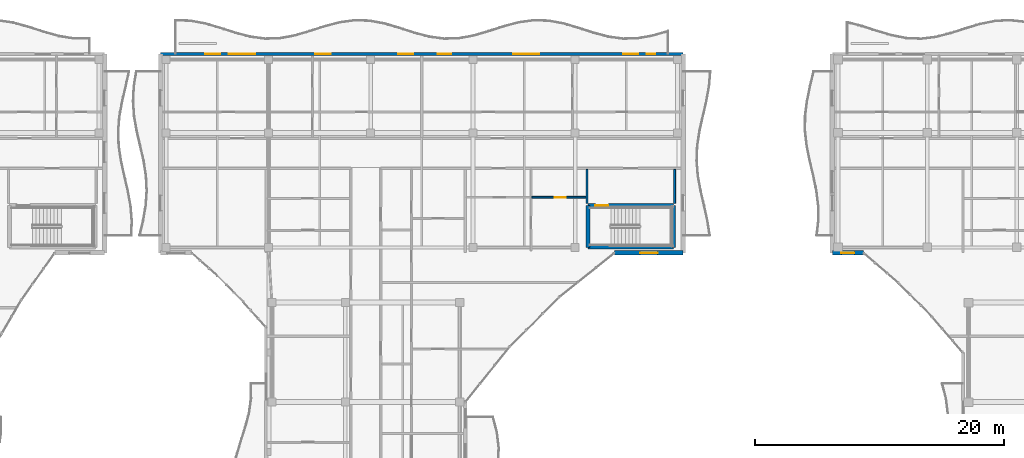
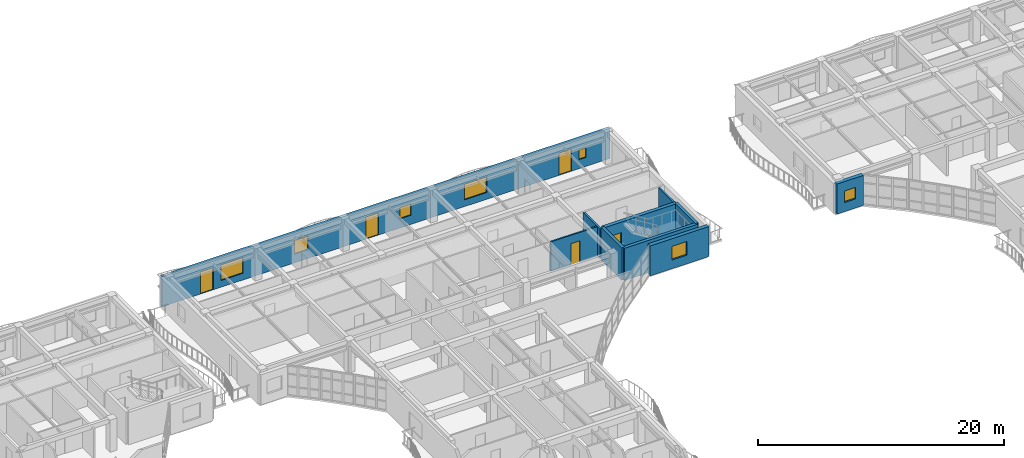
# One storey, part 91 of 128: 10 walls, 7 windows, 5 doors, 12 openings.
"""IFC4 building model written with IfcOpenShell, lengths in metres."""

from ifc_helpers import new_model, si_unit, direction, frame, frame_2d, origin, place, context, subcontext, project, spatial, rectangle, extrude, material, layer, layer_set, type_object, element, fill, save


model = new_model("IFC4")

# Units and contexts
model_context = context("Model", 3, precision=1e-05, world=origin(), true_north=direction((0.0, 1.0)))
body_context = subcontext(model_context, "Body", "Model", "MODEL_VIEW")
ifc_project = project(units=[si_unit("LENGTHUNIT", "METRE"), si_unit("AREAUNIT", "SQUARE_METRE"), si_unit("VOLUMEUNIT", "CUBIC_METRE"), si_unit("PLANEANGLEUNIT", "RADIAN"), si_unit("MASSUNIT", "GRAM", prefix="KILO")], contexts=[model_context])

# Site, building, storey
site_placement = place(None, origin())
site = spatial("IfcSite", under=ifc_project, at=site_placement, CompositionType="ELEMENT")
building_placement = place(site_placement, origin())
building = spatial("IfcBuilding", under=site, at=building_placement, Name="Keldmere Railside Commons", CompositionType="ELEMENT")
storey_placement = place(building_placement, frame((0.0, 0.0, 4.159912109375)))
storey = spatial("IfcBuildingStorey", under=building, at=storey_placement, Name="L01", CompositionType="ELEMENT", Elevation=4.159912109375)

# Wall, opening, window
ifc_material_1 = material(Name="Concrete H-35 (C35/45)", Category="concrete")
ifc_layer_1 = layer(ifc_material_1, 0.360107421875, Name="Exterior Shear Wall 360")
ifc_layer_set_1 = layer_set([ifc_layer_1], Name="Concrete H-35 (C35/45)")
wall_type_1 = type_object("IfcWallType", Name="Exterior Shear Wall 360", PredefinedType="SHEAR", material=ifc_layer_set_1)
wall_1_placement = place(storey_placement, frame((81.5, 100.0, 0.0), z_axis=(0.0, 0.0, 1.0), x_axis=(-1.0, 0.0, 0.0)))
wall_1 = element("IfcWall", 1, at=wall_1_placement, inside=storey, type_object=wall_type_1, Name="ESW-1 EXTC-L01-0328", PredefinedType="SHEAR", context=body_context, shape_type="SweptSolid", body=[
    extrude(rectangle(XDim=5.5, YDim=0.360107421875, at=frame_2d((2.75, 0.0))), origin(), (0.0, 0.0, 1.0), 2.97998046875),
])
opening_1_placement = place(wall_1_placement, frame((2.050048828125, 0.0, 0.8701171875)))
opening_1 = element("IfcOpeningElement", 2, at=opening_1_placement, cuts=wall_1, Name="Opening WN-08", PredefinedType="OPENING", context=body_context, shape_type="SweptSolid", body=[
    extrude(rectangle(XDim=1.39990234375, YDim=1.35009765625, at=frame_2d((0.699951171875, 0.675048828125))), frame((0.0, 0.18994140625, 0.0), z_axis=(0.0, -1.0, 0.0), x_axis=(1.0, 0.0, 0.0)), (0.0, 0.0, 1.0), 0.380126953125),
])
ifc_material_2 = material(Name="Low-E Insulated Double Glazing", Category="glass")
window_type_1 = type_object("IfcWindowType", Name="Primary Bedroom East/West Window 1400x1350", PartitioningType="SINGLE_PANEL", PredefinedType="WINDOW", material=ifc_material_2)
window_1_placement = place(opening_1_placement, origin())
window_1 = element("IfcWindow", 3, at=window_1_placement, inside=storey, type_object=window_type_1, Name="WN-08 WIN-L01-0177", OverallHeight=1.35009765625, OverallWidth=1.39990234375, PartitioningType="SINGLE_PANEL", PredefinedType="WINDOW", context=body_context, shape_type="SweptSolid", body=[
    extrude(rectangle(XDim=1.39990234375, YDim=1.35009765625, at=frame_2d((0.699951171875, 0.675048828125))), frame((0.0, 0.030029296875, 0.0), z_axis=(0.0, -1.0, 0.0), x_axis=(1.0, 0.0, 0.0)), (0.0, 0.0, 1.0), 0.06005859375),
])
fill(opening_1, window_1)

wall_2_placement = place(storey_placement, frame((96.0, 100.0, 0.0), z_axis=(0.0, 0.0, 1.0), x_axis=(-1.0, 0.0, 0.0)))
wall_2 = element("IfcWall", 4, at=wall_2_placement, inside=storey, type_object=wall_type_1, Name="ESW-1 EXTB-L01-0590", PredefinedType="SHEAR", context=body_context, shape_type="SweptSolid", body=[
    extrude(rectangle(XDim=2.5, YDim=0.360107421875, at=frame_2d((1.25, 0.0))), origin(), (0.0, 0.0, 1.0), 2.97998046875),
])
opening_2_placement = place(wall_2_placement, frame((0.72509765625, 0.0, 0.89990234375)))
opening_2 = element("IfcOpeningElement", 5, at=opening_2_placement, cuts=wall_2, Name="Opening WN-13", PredefinedType="OPENING", context=body_context, shape_type="SweptSolid", body=[
    extrude(rectangle(XDim=1.050048828125, YDim=1.14990234375, at=frame_2d((0.52490234375, 0.574951171875))), frame((0.0, 0.18994140625, 0.0), z_axis=(0.0, -1.0, 0.0), x_axis=(1.0, 0.0, 0.0)), (0.0, 0.0, 1.0), 0.380126953125),
])
window_type_2 = type_object("IfcWindowType", Name="Apartment Kitchen Casement Window 1050x1150", PartitioningType="SINGLE_PANEL", PredefinedType="WINDOW", material=ifc_material_2)
window_2_placement = place(opening_2_placement, origin())
window_2 = element("IfcWindow", 6, at=window_2_placement, inside=storey, type_object=window_type_2, Name="WN-13 WIN-L01-0377", OverallHeight=1.14990234375, OverallWidth=1.050048828125, PartitioningType="SINGLE_PANEL", PredefinedType="WINDOW", context=body_context, shape_type="SweptSolid", body=[
    extrude(rectangle(XDim=1.050048828125, YDim=1.14990234375, at=frame_2d((0.52490234375, 0.574951171875))), frame((0.0, 0.030029296875, 0.0), z_axis=(0.0, -1.0, 0.0), x_axis=(1.0, 0.0, 0.0)), (0.0, 0.0, 1.0), 0.06005859375),
])
fill(opening_2, window_2)

# Walls
ifc_layer_2 = layer(ifc_material_1, 0.300048828125, Name="Interior Shear Wall 300")
ifc_layer_set_2 = layer_set([ifc_layer_2], Name="Concrete H-35 (C35/45)")
wall_type_2 = type_object("IfcWallType", Name="Interior Shear Wall 300", PredefinedType="SHEAR", material=ifc_layer_set_2)
wall_3_placement = place(storey_placement, frame((73.85009765625, 100.449951171875, 0.0), z_axis=(0.0, 0.0, 1.0), x_axis=(1.0, 0.0, 0.0)))
element("IfcWall", 7, at=wall_3_placement, inside=storey, type_object=wall_type_2, Name="ISW-2 COREC2S-L01-0218", PredefinedType="SHEAR", context=body_context, shape_type="SweptSolid", body=[
    extrude(rectangle(XDim=6.89990234375, YDim=0.300048828125, at=frame_2d((3.449951171875, 0.0))), origin(), (0.0, 0.0, 1.0), 3.2001953125),
])
for number, where, z_axis, x_axis, name in (
    (8, (73.85009765625, 103.820068359375, 0.0), (0.0, 0.0, 1.0), (0.0, -1.0, 0.0), "ISW-2 COREC2W-L01-0220"),
    (9, (80.75, 100.449951171875, 0.0), (0.0, 0.0, 1.0), (0.0, 1.0, 0.0), "ISW-2 COREC2E-L01-0221"),
):
    element("IfcWall", number, at=place(storey_placement, frame(where, z_axis=z_axis, x_axis=x_axis)), inside=storey, type_object=wall_type_2, Name=name, PredefinedType="SHEAR", context=body_context, shape_type="SweptSolid", body=[
        extrude(rectangle(XDim=3.3701171875, YDim=0.300048828125, at=frame_2d((1.68505859375, 0.0))), origin(), (0.0, 0.0, 1.0), 3.2001953125),
    ])

# Wall, opening, door
ifc_layer_3 = layer(ifc_material_1, 0.340087890625, Name="Interior Shear Wall 340")
ifc_layer_set_3 = layer_set([ifc_layer_3], Name="Concrete H-35 (C35/45)")
wall_type_3 = type_object("IfcWallType", Name="Interior Shear Wall 340", PredefinedType="SHEAR", material=ifc_layer_set_3)
wall_4_placement = place(storey_placement, frame((80.75, 103.820068359375, 0.0), z_axis=(0.0, 0.0, 1.0), x_axis=(-1.0, 0.0, 0.0)))
wall_4 = element("IfcWall", 10, at=wall_4_placement, inside=storey, type_object=wall_type_3, Name="ISW-1 COREC2N-L01-0219", PredefinedType="SHEAR", context=body_context, shape_type="SweptSolid", body=[
    extrude(rectangle(XDim=6.89990234375, YDim=0.340087890625, at=frame_2d((3.449951171875, 0.0))), origin(), (0.0, 0.0, 1.0), 3.2001953125),
])
opening_3_placement = place(wall_4_placement, frame((5.25, 0.0, 0.0)))
opening_3 = element("IfcOpeningElement", 11, at=opening_3_placement, cuts=wall_4, Name="Opening FD-1", PredefinedType="OPENING", context=body_context, shape_type="SweptSolid", body=[
    extrude(rectangle(XDim=1.050048828125, YDim=2.14990234375, at=frame_2d((0.52490234375, 1.074951171875))), frame((0.0, 0.179931640625, 0.0), z_axis=(0.0, -1.0, 0.0), x_axis=(1.0, 0.0, 0.0)), (0.0, 0.0, 1.0), 0.360107421875),
])
ifc_material_3 = material(Name="Steel F-24 (S235)", Category="steel")
door_type_1 = type_object("IfcDoorType", Name="Stair Core Fire Door 1050x2150", OperationType="NOTDEFINED", PredefinedType="DOOR", material=ifc_material_3)
door_1_placement = place(opening_3_placement, origin())
door_1 = element("IfcDoor", 12, at=door_1_placement, inside=storey, type_object=door_type_1, Name="FD-1 C2 L01", OperationType="SINGLE_SWING_RIGHT", OverallHeight=2.14990234375, OverallWidth=1.050048828125, PredefinedType="DOOR", context=body_context, shape_type="SweptSolid", body=[
    extrude(rectangle(XDim=1.050048828125, YDim=2.14990234375, at=frame_2d((0.52490234375, 1.074951171875))), frame((0.0, 0.02490234375, 0.0), z_axis=(0.0, -1.0, 0.0), x_axis=(1.0, 0.0, 0.0)), (0.0, 0.0, 1.0), 0.050048828125),
])
fill(opening_3, door_1)

# Walls
ifc_material_4 = material(Name="Acoustic Gypsum Board Partition", Category="gypsum")
ifc_layer_4 = layer(ifc_material_4, 0.14990234375, Name="Lobby Rated Partition 150")
ifc_layer_set_4 = layer_set([ifc_layer_4], Name="Acoustic Gypsum Board Partition")
wall_type_4 = type_object("IfcWallType", Name="Lobby Rated Partition 150", PredefinedType="PARTITIONING", material=ifc_layer_set_4)
for number, where, z_axis, x_axis, name in (
    (13, (73.780029296875, 103.989990234375, 0.0), (0.0, 0.0, 1.0), (0.0, 1.0, 0.0), "IW-3 IW-L01-0513"),
    (14, (80.820068359375, 103.989990234375, 0.0), (0.0, 0.0, 1.0), (0.0, 1.0, 0.0), "IW-3 IW-L01-0514"),
):
    element("IfcWall", number, at=place(storey_placement, frame(where, z_axis=z_axis, x_axis=x_axis)), inside=storey, type_object=wall_type_4, Name=name, PredefinedType="PARTITIONING", context=body_context, shape_type="SweptSolid", body=[
        extrude(rectangle(XDim=2.72998046875, YDim=0.14990234375, at=frame_2d((1.364990234375, 0.0))), origin(), (0.0, 0.0, 1.0), 2.93505859375),
    ])

# Wall, openings, windows, doors
ifc_material_5 = material(Name="Terracotta Brick Masonry", Category="masonry")
ifc_layer_5 = layer(ifc_material_5, 0.260009765625, Name="Terracotta Cavity Wall 260")
ifc_layer_set_5 = layer_set([ifc_layer_5], Name="Terracotta Brick Masonry")
wall_type_5 = type_object("IfcWallType", Name="Terracotta Cavity Wall 260", PredefinedType="SOLIDWALL", material=ifc_layer_set_5)
wall_5_placement = place(storey_placement, frame((39.5, 116.0, 0.0), z_axis=(0.0, 0.0, 1.0), x_axis=(1.0, 0.0, 0.0)))
wall_5 = element("IfcWall", 15, at=wall_5_placement, inside=storey, type_object=wall_type_5, Name="EW-1 EXTC-L01-0330", PredefinedType="SOLIDWALL", context=body_context, shape_type="SweptSolid", body=[
    extrude(rectangle(XDim=42.0, YDim=0.260009765625, at=frame_2d((21.0, 0.0))), origin(), (0.0, 0.0, 1.0), 2.97998046875),
])
opening_4_placement = place(wall_5_placement, frame((3.60009765625, 0.0, 0.0)))
opening_4 = element("IfcOpeningElement", 16, at=opening_4_placement, cuts=wall_5, Name="Opening BD-01", PredefinedType="OPENING", context=body_context, shape_type="SweptSolid", body=[
    extrude(rectangle(XDim=1.199951171875, YDim=2.199951171875, at=frame_2d((0.60009765625, 1.10009765625))), frame((0.0, 0.139892578125, 0.0), z_axis=(0.0, -1.0, 0.0), x_axis=(1.0, 0.0, 0.0)), (0.0, 0.0, 1.0), 0.280029296875),
])
opening_5_placement = place(wall_5_placement, frame((5.5, 0.0, 0.669921875)))
opening_5 = element("IfcOpeningElement", 17, at=opening_5_placement, cuts=wall_5, Name="Opening WN-11", PredefinedType="OPENING", context=body_context, shape_type="SweptSolid", body=[
    extrude(rectangle(XDim=2.10009765625, YDim=1.550048828125, at=frame_2d((1.050048828125, 0.77490234375))), frame((0.0, 0.139892578125, 0.0), z_axis=(0.0, -1.0, 0.0), x_axis=(1.0, 0.0, 0.0)), (0.0, 0.0, 1.0), 0.280029296875),
])
opening_6_placement = place(wall_5_placement, frame((12.425048828125, 0.0, 0.8701171875)))
opening_6 = element("IfcOpeningElement", 18, at=opening_6_placement, cuts=wall_5, Name="Opening WN-09", PredefinedType="OPENING", context=body_context, shape_type="SweptSolid", body=[
    extrude(rectangle(XDim=1.25, YDim=1.35009765625, at=frame_2d((0.625, 0.675048828125))), frame((0.0, 0.139892578125, 0.0), z_axis=(0.0, -1.0, 0.0), x_axis=(1.0, 0.0, 0.0)), (0.0, 0.0, 1.0), 0.280029296875),
])
opening_7_placement = place(wall_5_placement, frame((19.10009765625, 0.0, 0.0)))
opening_7 = element("IfcOpeningElement", 19, at=opening_7_placement, cuts=wall_5, Name="Opening BD-01", PredefinedType="OPENING", context=body_context, shape_type="SweptSolid", body=[
    extrude(rectangle(XDim=1.199951171875, YDim=2.199951171875, at=frame_2d((0.60009765625, 1.10009765625))), frame((0.0, 0.139892578125, 0.0), z_axis=(0.0, -1.0, 0.0), x_axis=(1.0, 0.0, 0.0)), (0.0, 0.0, 1.0), 0.280029296875),
])
opening_8_placement = place(wall_5_placement, frame((22.300048828125, 0.0, 0.89990234375)))
opening_8 = element("IfcOpeningElement", 20, at=opening_8_placement, cuts=wall_5, Name="Opening WN-13", PredefinedType="OPENING", context=body_context, shape_type="SweptSolid", body=[
    extrude(rectangle(XDim=1.050048828125, YDim=1.14990234375, at=frame_2d((0.52490234375, 0.574951171875))), frame((0.0, 0.139892578125, 0.0), z_axis=(0.0, -1.0, 0.0), x_axis=(1.0, 0.0, 0.0)), (0.0, 0.0, 1.0), 0.280029296875),
])
opening_9_placement = place(wall_5_placement, frame((28.35009765625, 0.0, 0.669921875)))
opening_9 = element("IfcOpeningElement", 21, at=opening_9_placement, cuts=wall_5, Name="Opening WN-11", PredefinedType="OPENING", context=body_context, shape_type="SweptSolid", body=[
    extrude(rectangle(XDim=2.10009765625, YDim=1.550048828125, at=frame_2d((1.050048828125, 0.77490234375))), frame((0.0, 0.139892578125, 0.0), z_axis=(0.0, -1.0, 0.0), x_axis=(1.0, 0.0, 0.0)), (0.0, 0.0, 1.0), 0.280029296875),
])
opening_10_placement = place(wall_5_placement, frame((37.199951171875, 0.0, 0.0)))
opening_10 = element("IfcOpeningElement", 22, at=opening_10_placement, cuts=wall_5, Name="Opening BD-01", PredefinedType="OPENING", context=body_context, shape_type="SweptSolid", body=[
    extrude(rectangle(XDim=1.199951171875, YDim=2.199951171875, at=frame_2d((0.60009765625, 1.10009765625))), frame((0.0, 0.139892578125, 0.0), z_axis=(0.0, -1.0, 0.0), x_axis=(1.0, 0.0, 0.0)), (0.0, 0.0, 1.0), 0.280029296875),
])
opening_11_placement = place(wall_5_placement, frame((39.10009765625, 0.0, 0.89990234375)))
opening_11 = element("IfcOpeningElement", 23, at=opening_11_placement, cuts=wall_5, Name="Opening WN-15", PredefinedType="OPENING", context=body_context, shape_type="SweptSolid", body=[
    extrude(rectangle(XDim=0.64990234375, YDim=0.949951171875, at=frame_2d((0.324951171875, 0.47509765625))), frame((0.0, 0.139892578125, 0.0), z_axis=(0.0, -1.0, 0.0), x_axis=(1.0, 0.0, 0.0)), (0.0, 0.0, 1.0), 0.280029296875),
])
window_3_placement = place(opening_8_placement, origin())
window_3 = element("IfcWindow", 24, at=window_3_placement, inside=storey, type_object=window_type_2, Name="WN-13 WIN-L01-0182", OverallHeight=1.14990234375, OverallWidth=1.050048828125, PartitioningType="SINGLE_PANEL", PredefinedType="WINDOW", context=body_context, shape_type="SweptSolid", body=[
    extrude(rectangle(XDim=1.050048828125, YDim=1.14990234375, at=frame_2d((0.52490234375, 0.574951171875))), frame((0.0, 0.030029296875, 0.0), z_axis=(0.0, -1.0, 0.0), x_axis=(1.0, 0.0, 0.0)), (0.0, 0.0, 1.0), 0.06005859375),
])
fill(opening_8, window_3)
ifc_material_6 = material(Name="Thermally Broken Aluminium", Category="aluminium")
door_type_2 = type_object("IfcDoorType", Name="Apartment Living Wave-Balcony Glazed Door 1200x2200", OperationType="NOTDEFINED", PredefinedType="DOOR", material=ifc_material_6)
door_2_placement = place(opening_4_placement, origin())
door_2 = element("IfcDoor", 25, at=door_2_placement, inside=storey, type_object=door_type_2, Name="BD-01 DR-L01-0056", OperationType="SINGLE_SWING_RIGHT", OverallHeight=2.199951171875, OverallWidth=1.199951171875, PredefinedType="DOOR", context=body_context, shape_type="SweptSolid", body=[
    extrude(rectangle(XDim=1.199951171875, YDim=2.199951171875, at=frame_2d((0.60009765625, 1.10009765625))), frame((0.0, 0.02490234375, 0.0), z_axis=(0.0, -1.0, 0.0), x_axis=(1.0, 0.0, 0.0)), (0.0, 0.0, 1.0), 0.050048828125),
])
fill(opening_4, door_2)
door_3_placement = place(opening_7_placement, origin())
door_3 = element("IfcDoor", 26, at=door_3_placement, inside=storey, type_object=door_type_2, Name="BD-01 DR-L01-0057", OperationType="SINGLE_SWING_LEFT", OverallHeight=2.199951171875, OverallWidth=1.199951171875, PredefinedType="DOOR", context=body_context, shape_type="SweptSolid", body=[
    extrude(rectangle(XDim=1.199951171875, YDim=2.199951171875, at=frame_2d((0.60009765625, 1.10009765625))), frame((0.0, 0.02490234375, 0.0), z_axis=(0.0, -1.0, 0.0), x_axis=(1.0, 0.0, 0.0)), (0.0, 0.0, 1.0), 0.050048828125),
])
fill(opening_7, door_3)
door_4_placement = place(opening_10_placement, origin())
door_4 = element("IfcDoor", 27, at=door_4_placement, inside=storey, type_object=door_type_2, Name="BD-01 DR-L01-0058", OperationType="SINGLE_SWING_RIGHT", OverallHeight=2.199951171875, OverallWidth=1.199951171875, PredefinedType="DOOR", context=body_context, shape_type="SweptSolid", body=[
    extrude(rectangle(XDim=1.199951171875, YDim=2.199951171875, at=frame_2d((0.60009765625, 1.10009765625))), frame((0.0, 0.02490234375, 0.0), z_axis=(0.0, -1.0, 0.0), x_axis=(1.0, 0.0, 0.0)), (0.0, 0.0, 1.0), 0.050048828125),
])
fill(opening_10, door_4)
window_type_3 = type_object("IfcWindowType", Name="Exterior Bathroom Frosted Window 650x950", PartitioningType="SINGLE_PANEL", PredefinedType="WINDOW", material=ifc_material_2)
window_4_placement = place(opening_11_placement, origin())
window_4 = element("IfcWindow", 28, at=window_4_placement, inside=storey, type_object=window_type_3, Name="WN-15 WIN-L01-0184", OverallHeight=0.949951171875, OverallWidth=0.64990234375, PartitioningType="SINGLE_PANEL", PredefinedType="WINDOW", context=body_context, shape_type="SweptSolid", body=[
    extrude(rectangle(XDim=0.64990234375, YDim=0.949951171875, at=frame_2d((0.324951171875, 0.47509765625))), frame((0.0, 0.030029296875, 0.0), z_axis=(0.0, -1.0, 0.0), x_axis=(1.0, 0.0, 0.0)), (0.0, 0.0, 1.0), 0.06005859375),
])
fill(opening_11, window_4)
window_type_4 = type_object("IfcWindowType", Name="Secondary Bedroom Window 1250x1350", PartitioningType="SINGLE_PANEL", PredefinedType="WINDOW", material=ifc_material_2)
window_5_placement = place(opening_6_placement, origin())
window_5 = element("IfcWindow", 29, at=window_5_placement, inside=storey, type_object=window_type_4, Name="WN-09 WIN-L01-0181", OverallHeight=1.35009765625, OverallWidth=1.25, PartitioningType="SINGLE_PANEL", PredefinedType="WINDOW", context=body_context, shape_type="SweptSolid", body=[
    extrude(rectangle(XDim=1.25, YDim=1.35009765625, at=frame_2d((0.625, 0.675048828125))), frame((0.0, 0.030029296875, 0.0), z_axis=(0.0, -1.0, 0.0), x_axis=(1.0, 0.0, 0.0)), (0.0, 0.0, 1.0), 0.06005859375),
])
fill(opening_6, window_5)
window_type_5 = type_object("IfcWindowType", Name="Studio Wide Casement Window 2100x1550", PartitioningType="SINGLE_PANEL", PredefinedType="WINDOW", material=ifc_material_2)
window_6_placement = place(opening_5_placement, origin())
window_6 = element("IfcWindow", 30, at=window_6_placement, inside=storey, type_object=window_type_5, Name="WN-11 WIN-L01-0180", OverallHeight=1.550048828125, OverallWidth=2.10009765625, PartitioningType="SINGLE_PANEL", PredefinedType="WINDOW", context=body_context, shape_type="SweptSolid", body=[
    extrude(rectangle(XDim=2.10009765625, YDim=1.550048828125, at=frame_2d((1.050048828125, 0.77490234375))), frame((0.0, 0.030029296875, 0.0), z_axis=(0.0, -1.0, 0.0), x_axis=(1.0, 0.0, 0.0)), (0.0, 0.0, 1.0), 0.06005859375),
])
fill(opening_5, window_6)
window_7_placement = place(opening_9_placement, origin())
window_7 = element("IfcWindow", 31, at=window_7_placement, inside=storey, type_object=window_type_5, Name="WN-11 WIN-L01-0183", OverallHeight=1.550048828125, OverallWidth=2.10009765625, PartitioningType="SINGLE_PANEL", PredefinedType="WINDOW", context=body_context, shape_type="SweptSolid", body=[
    extrude(rectangle(XDim=2.10009765625, YDim=1.550048828125, at=frame_2d((1.050048828125, 0.77490234375))), frame((0.0, 0.030029296875, 0.0), z_axis=(0.0, -1.0, 0.0), x_axis=(1.0, 0.0, 0.0)), (0.0, 0.0, 1.0), 0.06005859375),
])
fill(opening_9, window_7)

# Wall, opening, door
ifc_layer_6 = layer(ifc_material_4, 0.139892578125, Name="Wet-Room Sanitary Partition 140")
ifc_layer_set_6 = layer_set([ifc_layer_6], Name="Acoustic Gypsum Board Partition")
wall_type_6 = type_object("IfcWallType", Name="Wet-Room Sanitary Partition 140", PredefinedType="PARTITIONING", material=ifc_layer_set_6)
wall_6_placement = place(storey_placement, frame((69.340087890625, 104.469970703125, 0.0), z_axis=(0.0, 0.0, 1.0), x_axis=(1.0, 0.0, 0.0)))
wall_6 = element("IfcWall", 32, at=wall_6_placement, inside=storey, type_object=wall_type_6, Name="IW-5 IW-L01-0540", PredefinedType="PARTITIONING", context=body_context, shape_type="SweptSolid", body=[
    extrude(rectangle(XDim=4.35986328125, YDim=0.139892578125, at=frame_2d((2.179931640625, 0.0))), origin(), (0.0, 0.0, 1.0), 2.93505859375),
])
opening_12_placement = place(wall_6_placement, frame((1.8564453125, 0.0, 0.0)))
opening_12 = element("IfcOpeningElement", 33, at=opening_12_placement, cuts=wall_6, Name="Opening ID-04", PredefinedType="OPENING", context=body_context, shape_type="SweptSolid", body=[
    extrude(rectangle(XDim=0.860107421875, YDim=2.10009765625, at=frame_2d((0.43017578125, 1.050048828125))), frame((0.0, 0.079833984375, 0.0), z_axis=(0.0, -1.0, 0.0), x_axis=(1.0, 0.0, 0.0)), (0.0, 0.0, 1.0), 0.159912109375),
])
ifc_material_7 = material(Name="Engineered Oak Timber", Category="wood")
door_type_3 = type_object("IfcDoorType", Name="Apartment Bathroom Door 860x2100", OperationType="NOTDEFINED", PredefinedType="DOOR", material=ifc_material_7)
door_5_placement = place(opening_12_placement, origin())
door_5 = element("IfcDoor", 34, at=door_5_placement, inside=storey, type_object=door_type_3, Name="ID-04 IDR-L01-0437", OperationType="SINGLE_SWING_LEFT", OverallHeight=2.10009765625, OverallWidth=0.860107421875, PredefinedType="DOOR", context=body_context, shape_type="SweptSolid", body=[
    extrude(rectangle(XDim=0.860107421875, YDim=2.10009765625, at=frame_2d((0.43017578125, 1.050048828125))), frame((0.0, 0.02490234375, 0.0), z_axis=(0.0, -1.0, 0.0), x_axis=(1.0, 0.0, 0.0)), (0.0, 0.0, 1.0), 0.050048828125),
])
fill(opening_12, door_5)

save(model, "model.ifc")
